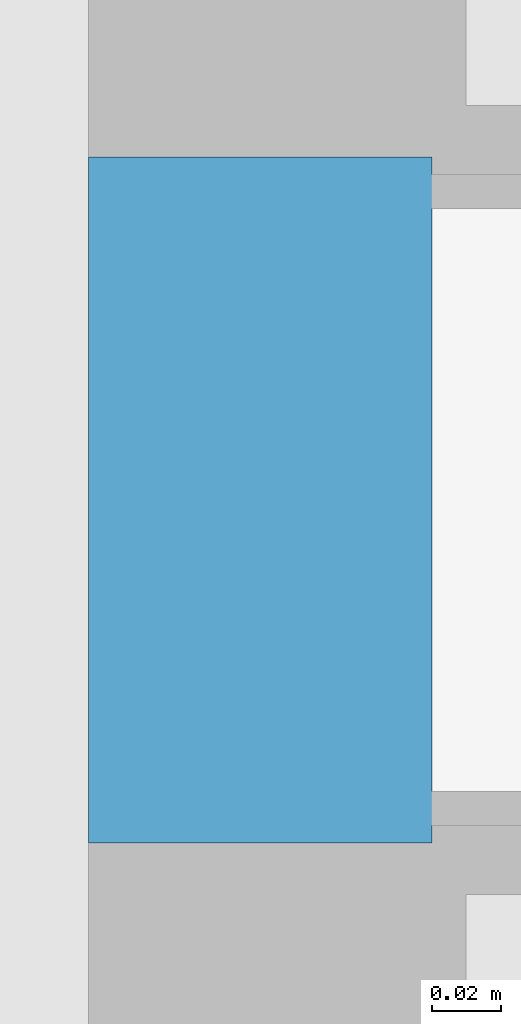
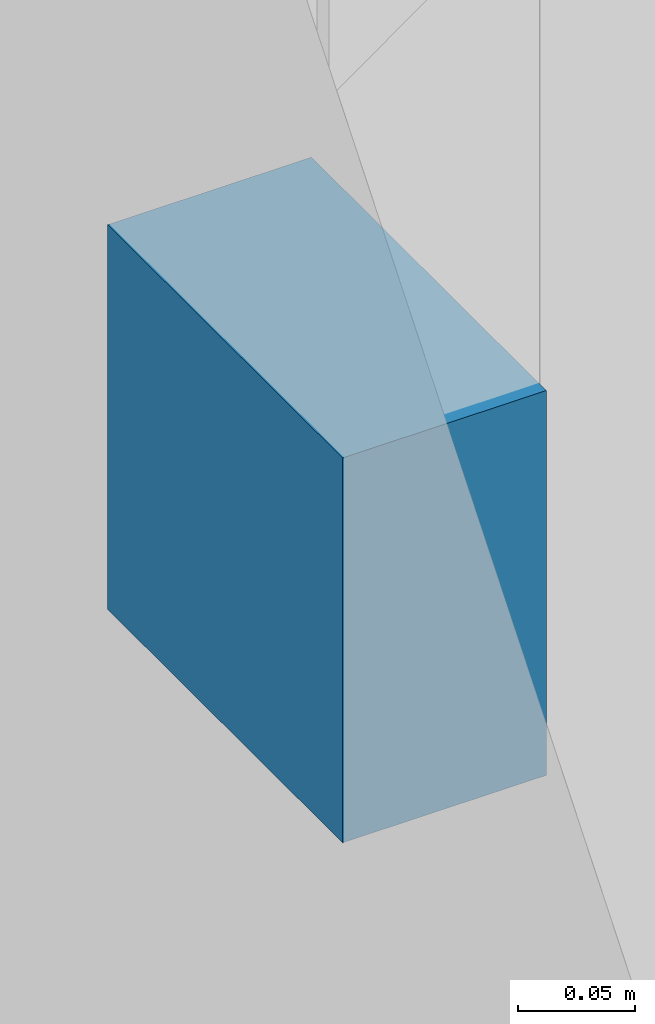
# One storey, part 120 of 154: 1 discrete accessory.
"""IFC4 building model written with IfcOpenShell, lengths in metres."""

from ifc_helpers import new_model, si_unit, direction, frame, origin, origin_2d, place, context, subcontext, project, spatial, rectangle, extrude, material, type_object, element, save


model = new_model("IFC4")

# Units and contexts
model_context = context("Model", 3, precision=1e-05, world=origin(), true_north=direction((0.0, 1.0)))
body_context = subcontext(model_context, "Body", "Model", "MODEL_VIEW")
ifc_project = project(units=[si_unit("LENGTHUNIT", "METRE"), si_unit("AREAUNIT", "SQUARE_METRE"), si_unit("VOLUMEUNIT", "CUBIC_METRE"), si_unit("PLANEANGLEUNIT", "RADIAN"), si_unit("MASSUNIT", "GRAM", prefix="KILO")], contexts=[model_context])

# Site, building, storey
site_placement = place(None, origin())
site = spatial("IfcSite", under=ifc_project, at=site_placement, CompositionType="ELEMENT")
building_placement = place(site_placement, origin())
building = spatial("IfcBuilding", under=site, at=building_placement, Name="Golden Quay Civic Hall", CompositionType="ELEMENT")
storey_placement = place(building_placement, frame((0.0, 0.0, 14.39990234375)))
storey = spatial("IfcBuildingStorey", under=building, at=storey_placement, Name="L03", CompositionType="ELEMENT", Elevation=14.39990234375)

# Discrete accessory
ifc_material = material(Name="Steel S355", Category="steel")
discrete_accessory_type = type_object("IfcDiscreteAccessoryType", Name="Pier fixing bracket 200 x 200", PredefinedType="BRACKET", material=ifc_material)
discrete_accessory_placement = place(storey_placement, frame((53.85009765625, 18.0, 1.39990234375), z_axis=(0.0, 0.0, 1.0), x_axis=(0.0, -1.0, 0.0)))
element("IfcDiscreteAccessory", 1, at=discrete_accessory_placement, inside=storey, type_object=discrete_accessory_type, Name="Pier fixing bracket 200 x 200 L03 14", PredefinedType="BRACKET", context=body_context, shape_type="SweptSolid", body=[
    extrude(rectangle(XDim=0.199951171875, YDim=0.10009765625, at=origin_2d()), origin(), (0.0, 0.0, 1.0), 0.199951171875),
])

save(model, "model.ifc")
